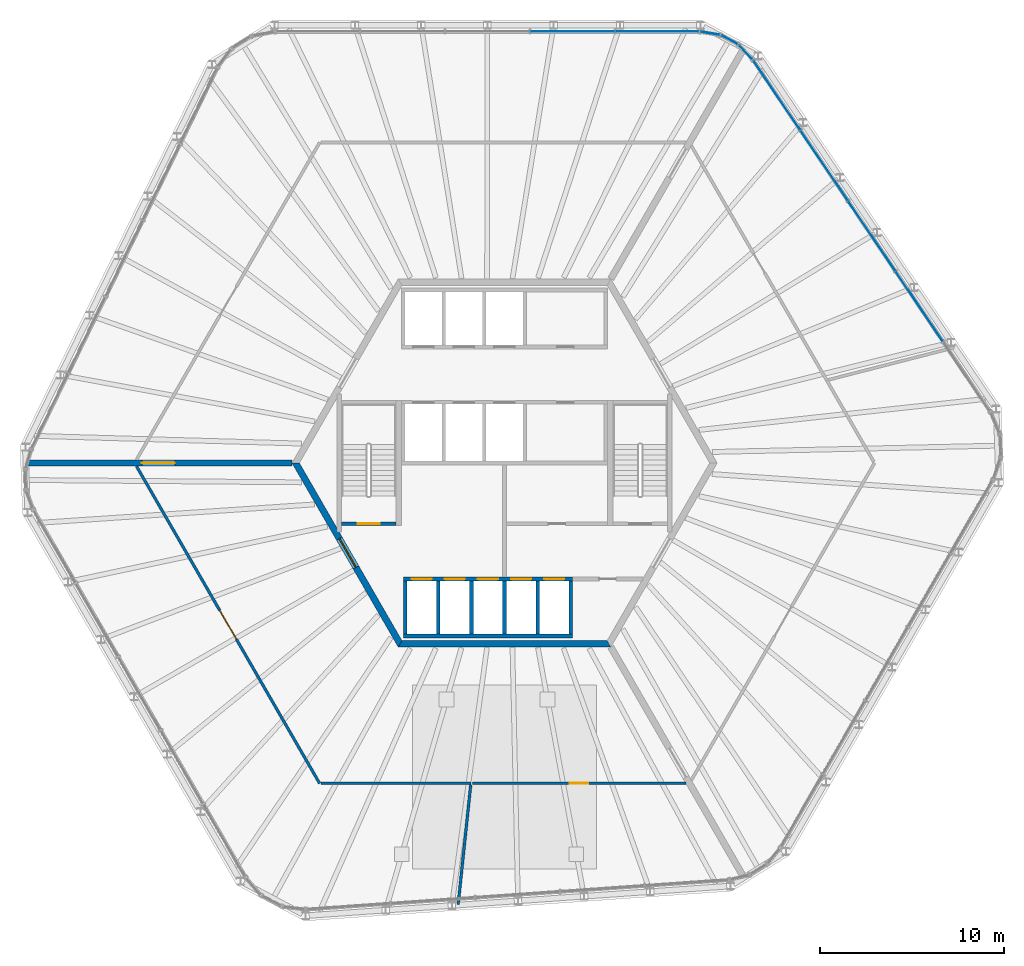
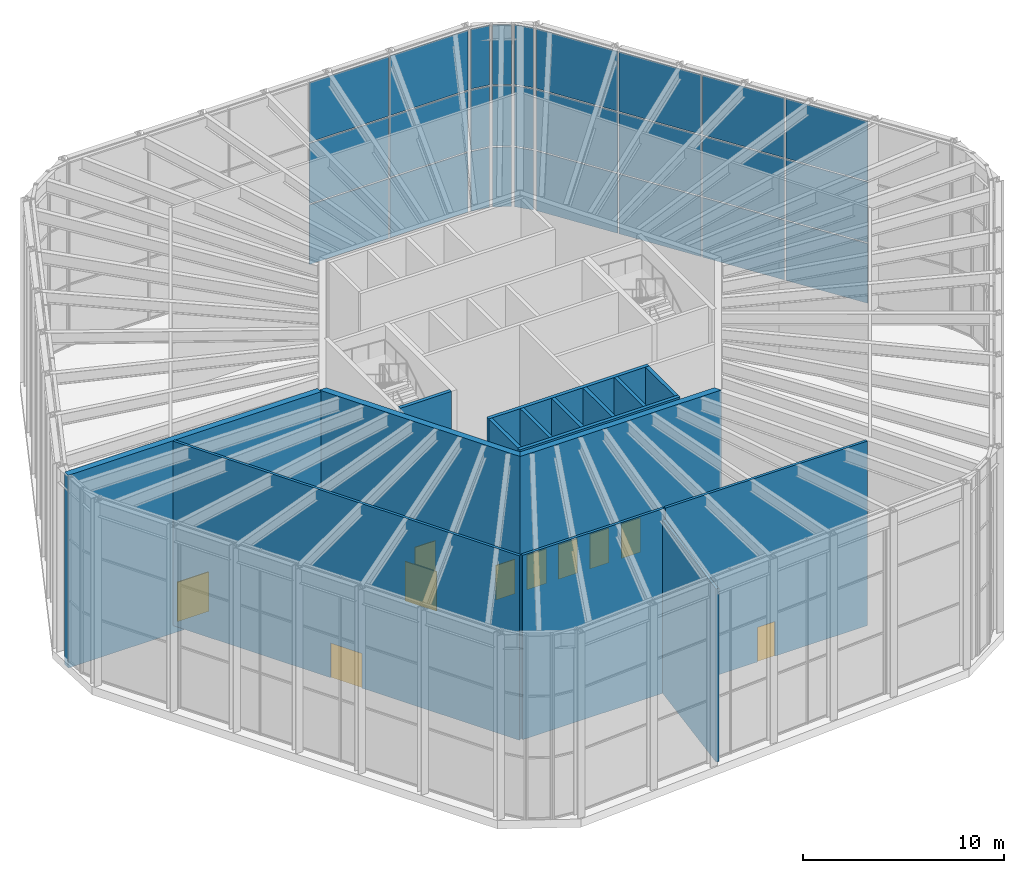
# One storey, part 13 of 17: 27 plates, 16 walls, 10 doors, 10 openings, 5 elements without a shape of their own.
"""IFC4 building model written with IfcOpenShell, lengths in metres."""

from ifc_helpers import new_model, si_unit, direction, frame, frame_2d, origin, origin_2d, place, context, subcontext, project, spatial, polyline, rectangle, outline, extrude, material, layer, layer_set, type_object, element, fill, aggregate, save


model = new_model("IFC4")

# Units and contexts
model_context = context("Model", 3, precision=1e-05, world=origin(), true_north=direction((0.0, 1.0)))
body_context = subcontext(model_context, "Body", "Model", "MODEL_VIEW")
ifc_project = project(units=[si_unit("LENGTHUNIT", "METRE"), si_unit("AREAUNIT", "SQUARE_METRE"), si_unit("VOLUMEUNIT", "CUBIC_METRE"), si_unit("PLANEANGLEUNIT", "RADIAN"), si_unit("MASSUNIT", "GRAM", prefix="KILO")], contexts=[model_context])

# Site, building, storey
site_placement = place(None, origin())
site = spatial("IfcSite", under=ifc_project, at=site_placement, CompositionType="ELEMENT")
building_placement = place(site_placement, origin())
building = spatial("IfcBuilding", under=site, at=building_placement, Name="Tarnside Tower", CompositionType="ELEMENT")
storey_placement = place(building_placement, frame((0.0, 0.0, 376.800048828125)))
storey = spatial("IfcBuildingStorey", under=building, at=storey_placement, Name="L91", CompositionType="ELEMENT", Elevation=376.800048828125)

# Curtain wall, plates
ifc_material_1 = material(Name="Damper hall glazing wall", Category="glass")
curtain_wall_type = type_object("IfcCurtainWallType", Name="Damper hall glazing wall", PredefinedType="NOTDEFINED", material=ifc_material_1)
curtain_wall_1_placement = place(storey_placement, origin())
curtain_wall_1 = element("IfcCurtainWall", 1, at=curtain_wall_1_placement, inside=storey, type_object=curtain_wall_type, Name="Damper hall glazing L91 00", PredefinedType="NOTDEFINED")
ifc_material_2 = material(Name="Low-iron safety glass", Category="glass")
ifc_layer_1 = layer(ifc_material_2, 0.0400390625)
ifc_layer_set_1 = layer_set([ifc_layer_1], Name="Damper hall glazing panel 40")
plate_type = type_object("IfcPlateType", Name="Damper hall glazing panel 40", PredefinedType="CURTAIN_PANEL", material=ifc_layer_set_1)
plate_1_placement = place(storey_placement, frame((3.6845703125, 23.429931640625, 0.080078125), z_axis=(0.0, 0.0, 1.0), x_axis=(1.0, 0.0, 0.0)))
plate_1 = element("IfcPlate", 2, at=plate_1_placement, type_object=plate_type, Name="CW5 panel 4.1", PredefinedType="CURTAIN_PANEL", context=body_context, shape_type="SweptSolid", body=[
    extrude(rectangle(XDim=4.5341796875, YDim=0.0400390625, at=origin_2d()), origin(), (0.0, 0.0, 1.0), 3.61328125),
])
plate_2_placement = place(storey_placement, frame((3.6845703125, 23.429931640625, 3.773193359375), z_axis=(0.0, 0.0, 1.0), x_axis=(1.0, 0.0, 0.0)))
plate_2 = element("IfcPlate", 3, at=plate_2_placement, type_object=plate_type, Name="CW5 panel 4.2", PredefinedType="CURTAIN_PANEL", context=body_context, shape_type="SweptSolid", body=[
    extrude(rectangle(XDim=4.5341796875, YDim=0.0400390625, at=origin_2d()), origin(), (0.0, 0.0, 1.0), 3.6533203125),
])
plate_3_placement = place(storey_placement, frame((3.6845703125, 23.429931640625, 7.506591796875), z_axis=(0.0, 0.0, 1.0), x_axis=(1.0, 0.0, 0.0)))
plate_3 = element("IfcPlate", 4, at=plate_3_placement, type_object=plate_type, Name="CW5 panel 4.3", PredefinedType="CURTAIN_PANEL", context=body_context, shape_type="SweptSolid", body=[
    extrude(rectangle(XDim=4.5341796875, YDim=0.0400390625, at=origin_2d()), origin(), (0.0, 0.0, 1.0), 3.61328125),
])
plate_4_placement = place(storey_placement, frame((8.27880859375, 23.429931640625, 0.080078125), z_axis=(0.0, 0.0, 1.0), x_axis=(1.0, 0.0, 0.0)))
plate_4 = element("IfcPlate", 5, at=plate_4_placement, type_object=plate_type, Name="CW5 panel 5.1", PredefinedType="CURTAIN_PANEL", context=body_context, shape_type="SweptSolid", body=[
    extrude(rectangle(XDim=4.494140625, YDim=0.0400390625, at=origin_2d()), origin(), (0.0, 0.0, 1.0), 3.61328125),
])
plate_5_placement = place(storey_placement, frame((8.27880859375, 23.429931640625, 3.773193359375), z_axis=(0.0, 0.0, 1.0), x_axis=(1.0, 0.0, 0.0)))
plate_5 = element("IfcPlate", 6, at=plate_5_placement, type_object=plate_type, Name="CW5 panel 5.2", PredefinedType="CURTAIN_PANEL", context=body_context, shape_type="SweptSolid", body=[
    extrude(rectangle(XDim=4.494140625, YDim=0.0400390625, at=origin_2d()), origin(), (0.0, 0.0, 1.0), 3.6533203125),
])
plate_6_placement = place(storey_placement, frame((8.27880859375, 23.429931640625, 7.506591796875), z_axis=(0.0, 0.0, 1.0), x_axis=(1.0, 0.0, 0.0)))
plate_6 = element("IfcPlate", 7, at=plate_6_placement, type_object=plate_type, Name="CW5 panel 5.3", PredefinedType="CURTAIN_PANEL", context=body_context, shape_type="SweptSolid", body=[
    extrude(rectangle(XDim=4.494140625, YDim=0.0400390625, at=origin_2d()), origin(), (0.0, 0.0, 1.0), 3.61328125),
])
aggregate(curtain_wall_1, [plate_1, plate_2, plate_3, plate_4, plate_5, plate_6])

curtain_wall_2_placement = place(storey_placement, origin())
curtain_wall_2 = element("IfcCurtainWall", 8, at=curtain_wall_2_placement, inside=storey, type_object=curtain_wall_type, Name="Damper hall glazing L91 01", PredefinedType="NOTDEFINED")
plate_7_placement = place(storey_placement, frame((11.168212890625, 23.337646484375, 0.080078125), z_axis=(0.0, 0.0, 1.0), x_axis=(0.986761532162, -0.162177922807, 0.0)))
plate_7 = element("IfcPlate", 9, at=plate_7_placement, type_object=plate_type, Name="CW5 panel 1.1", PredefinedType="CURTAIN_PANEL", context=body_context, shape_type="SweptSolid", body=[
    extrude(rectangle(XDim=0.9794921875, YDim=0.0400390625, at=origin_2d()), origin(), (0.0, 0.0, 1.0), 3.61328125),
])
plate_8_placement = place(storey_placement, frame((11.168212890625, 23.337646484375, 3.773193359375), z_axis=(0.0, 0.0, 1.0), x_axis=(0.986761532162, -0.162177922807, 0.0)))
plate_8 = element("IfcPlate", 10, at=plate_8_placement, type_object=plate_type, Name="CW5 panel 1.2", PredefinedType="CURTAIN_PANEL", context=body_context, shape_type="SweptSolid", body=[
    extrude(rectangle(XDim=0.9794921875, YDim=0.0400390625, at=origin_2d()), origin(), (0.0, 0.0, 1.0), 3.6533203125),
])
plate_9_placement = place(storey_placement, frame((11.168212890625, 23.337646484375, 7.506591796875), z_axis=(0.0, 0.0, 1.0), x_axis=(0.986761532162, -0.162177922807, 0.0)))
plate_9 = element("IfcPlate", 11, at=plate_9_placement, type_object=plate_type, Name="CW5 panel 1.3", PredefinedType="CURTAIN_PANEL", context=body_context, shape_type="SweptSolid", body=[
    extrude(rectangle(XDim=0.9794921875, YDim=0.0400390625, at=origin_2d()), origin(), (0.0, 0.0, 1.0), 3.61328125),
])
aggregate(curtain_wall_2, [plate_7, plate_8, plate_9])

curtain_wall_3_placement = place(storey_placement, origin())
curtain_wall_3 = element("IfcCurtainWall", 12, at=curtain_wall_3_placement, inside=storey, type_object=curtain_wall_type, Name="Damper hall glazing L91 02", PredefinedType="NOTDEFINED")
plate_10_placement = place(storey_placement, frame((12.220947265625, 22.984375, 0.080078125), z_axis=(0.0, 0.0, 1.0), x_axis=(0.882947592867, -0.46947156277, 0.0)))
plate_10 = element("IfcPlate", 13, at=plate_10_placement, type_object=plate_type, Name="CW5 panel 1.1", PredefinedType="CURTAIN_PANEL", context=body_context, shape_type="SweptSolid", body=[
    extrude(rectangle(XDim=0.950927734375, YDim=0.0400390625, at=origin_2d()), origin(), (0.0, 0.0, 1.0), 3.61328125),
])
plate_11_placement = place(storey_placement, frame((12.220947265625, 22.984375, 3.773193359375), z_axis=(0.0, 0.0, 1.0), x_axis=(0.882947592867, -0.46947156277, 0.0)))
plate_11 = element("IfcPlate", 14, at=plate_11_placement, type_object=plate_type, Name="CW5 panel 1.2", PredefinedType="CURTAIN_PANEL", context=body_context, shape_type="SweptSolid", body=[
    extrude(rectangle(XDim=0.950927734375, YDim=0.0400390625, at=origin_2d()), origin(), (0.0, 0.0, 1.0), 3.6533203125),
])
plate_12_placement = place(storey_placement, frame((12.220947265625, 22.984375, 7.506591796875), z_axis=(0.0, 0.0, 1.0), x_axis=(0.882947592867, -0.46947156277, 0.0)))
plate_12 = element("IfcPlate", 15, at=plate_12_placement, type_object=plate_type, Name="CW5 panel 1.3", PredefinedType="CURTAIN_PANEL", context=body_context, shape_type="SweptSolid", body=[
    extrude(rectangle(XDim=0.950927734375, YDim=0.0400390625, at=origin_2d()), origin(), (0.0, 0.0, 1.0), 3.61328125),
])
aggregate(curtain_wall_3, [plate_10, plate_11, plate_12])

curtain_wall_4_placement = place(storey_placement, origin())
curtain_wall_4 = element("IfcCurtainWall", 16, at=curtain_wall_4_placement, inside=storey, type_object=curtain_wall_type, Name="Damper hall glazing L91 03", PredefinedType="NOTDEFINED")
plate_13_placement = place(storey_placement, frame((13.1025390625, 22.30908203125, 0.080078125), z_axis=(0.0, 0.0, 1.0), x_axis=(0.686241637534, -0.727373641888, 0.0)))
plate_13 = element("IfcPlate", 17, at=plate_13_placement, type_object=plate_type, Name="CW5 panel 1.1", PredefinedType="CURTAIN_PANEL", context=body_context, shape_type="SweptSolid", body=[
    extrude(rectangle(XDim=0.9794921875, YDim=0.0400390625, at=origin_2d()), origin(), (0.0, 0.0, 1.0), 3.61328125),
])
plate_14_placement = place(storey_placement, frame((13.1025390625, 22.30908203125, 3.773193359375), z_axis=(0.0, 0.0, 1.0), x_axis=(0.686241637534, -0.727373641888, 0.0)))
plate_14 = element("IfcPlate", 18, at=plate_14_placement, type_object=plate_type, Name="CW5 panel 1.2", PredefinedType="CURTAIN_PANEL", context=body_context, shape_type="SweptSolid", body=[
    extrude(rectangle(XDim=0.9794921875, YDim=0.0400390625, at=origin_2d()), origin(), (0.0, 0.0, 1.0), 3.6533203125),
])
plate_15_placement = place(storey_placement, frame((13.1025390625, 22.30908203125, 7.506591796875), z_axis=(0.0, 0.0, 1.0), x_axis=(0.686241637534, -0.727373641888, 0.0)))
plate_15 = element("IfcPlate", 19, at=plate_15_placement, type_object=plate_type, Name="CW5 panel 1.3", PredefinedType="CURTAIN_PANEL", context=body_context, shape_type="SweptSolid", body=[
    extrude(rectangle(XDim=0.9794921875, YDim=0.0400390625, at=origin_2d()), origin(), (0.0, 0.0, 1.0), 3.61328125),
])
aggregate(curtain_wall_4, [plate_13, plate_14, plate_15])

curtain_wall_5_placement = place(storey_placement, origin())
curtain_wall_5 = element("IfcCurtainWall", 20, at=curtain_wall_5_placement, inside=storey, type_object=curtain_wall_type, Name="Damper hall glazing L91 04", PredefinedType="NOTDEFINED")
plate_16_placement = place(storey_placement, frame((14.794921875, 19.96533203125, 0.080078125), z_axis=(0.0, 0.0, 1.0), x_axis=(0.559192903485, -0.829037572545, 0.0)))
plate_16 = element("IfcPlate", 21, at=plate_16_placement, type_object=plate_type, Name="CW5 panel 1.1", PredefinedType="CURTAIN_PANEL", context=body_context, shape_type="SweptSolid", body=[
    extrude(rectangle(XDim=4.494140625, YDim=0.0400390625, at=origin_2d()), origin(), (0.0, 0.0, 1.0), 3.61328125),
])
plate_17_placement = place(storey_placement, frame((14.794921875, 19.96533203125, 3.773193359375), z_axis=(0.0, 0.0, 1.0), x_axis=(0.559192903485, -0.829037572545, 0.0)))
plate_17 = element("IfcPlate", 22, at=plate_17_placement, type_object=plate_type, Name="CW5 panel 1.2", PredefinedType="CURTAIN_PANEL", context=body_context, shape_type="SweptSolid", body=[
    extrude(rectangle(XDim=4.494140625, YDim=0.0400390625, at=origin_2d()), origin(), (0.0, 0.0, 1.0), 3.6533203125),
])
plate_18_placement = place(storey_placement, frame((14.794921875, 19.96533203125, 7.506591796875), z_axis=(0.0, 0.0, 1.0), x_axis=(0.559192903485, -0.829037572545, 0.0)))
plate_18 = element("IfcPlate", 23, at=plate_18_placement, type_object=plate_type, Name="CW5 panel 1.3", PredefinedType="CURTAIN_PANEL", context=body_context, shape_type="SweptSolid", body=[
    extrude(rectangle(XDim=4.494140625, YDim=0.0400390625, at=origin_2d()), origin(), (0.0, 0.0, 1.0), 3.61328125),
])
plate_19_placement = place(storey_placement, frame((17.364013671875, 16.156494140625, 0.080078125), z_axis=(0.0, 0.0, 1.0), x_axis=(0.559192903485, -0.829037572545, 0.0)))
plate_19 = element("IfcPlate", 24, at=plate_19_placement, type_object=plate_type, Name="CW5 panel 2.1", PredefinedType="CURTAIN_PANEL", context=body_context, shape_type="SweptSolid", body=[
    extrude(rectangle(XDim=4.5341796875, YDim=0.0400390625, at=origin_2d()), origin(), (0.0, 0.0, 1.0), 3.61328125),
])
plate_20_placement = place(storey_placement, frame((17.364013671875, 16.156494140625, 3.773193359375), z_axis=(0.0, 0.0, 1.0), x_axis=(0.559192903485, -0.829037572545, 0.0)))
plate_20 = element("IfcPlate", 25, at=plate_20_placement, type_object=plate_type, Name="CW5 panel 2.2", PredefinedType="CURTAIN_PANEL", context=body_context, shape_type="SweptSolid", body=[
    extrude(rectangle(XDim=4.5341796875, YDim=0.0400390625, at=origin_2d()), origin(), (0.0, 0.0, 1.0), 3.6533203125),
])
plate_21_placement = place(storey_placement, frame((17.364013671875, 16.156494140625, 7.506591796875), z_axis=(0.0, 0.0, 1.0), x_axis=(0.559192903485, -0.829037572545, 0.0)))
plate_21 = element("IfcPlate", 26, at=plate_21_placement, type_object=plate_type, Name="CW5 panel 2.3", PredefinedType="CURTAIN_PANEL", context=body_context, shape_type="SweptSolid", body=[
    extrude(rectangle(XDim=4.5341796875, YDim=0.0400390625, at=origin_2d()), origin(), (0.0, 0.0, 1.0), 3.61328125),
])
plate_22_placement = place(storey_placement, frame((19.944091796875, 12.331298828125, 0.080078125), z_axis=(0.0, 0.0, 1.0), x_axis=(0.559192903485, -0.829037572545, 0.0)))
plate_22 = element("IfcPlate", 27, at=plate_22_placement, type_object=plate_type, Name="CW5 panel 3.1", PredefinedType="CURTAIN_PANEL", context=body_context, shape_type="SweptSolid", body=[
    extrude(rectangle(XDim=4.5341796875, YDim=0.0400390625, at=origin_2d()), origin(), (0.0, 0.0, 1.0), 3.61328125),
])
plate_23_placement = place(storey_placement, frame((19.944091796875, 12.331298828125, 3.773193359375), z_axis=(0.0, 0.0, 1.0), x_axis=(0.559192903485, -0.829037572545, 0.0)))
plate_23 = element("IfcPlate", 28, at=plate_23_placement, type_object=plate_type, Name="CW5 panel 3.2", PredefinedType="CURTAIN_PANEL", context=body_context, shape_type="SweptSolid", body=[
    extrude(rectangle(XDim=4.5341796875, YDim=0.0400390625, at=origin_2d()), origin(), (0.0, 0.0, 1.0), 3.6533203125),
])
plate_24_placement = place(storey_placement, frame((19.944091796875, 12.331298828125, 7.506591796875), z_axis=(0.0, 0.0, 1.0), x_axis=(0.559192903485, -0.829037572545, 0.0)))
plate_24 = element("IfcPlate", 29, at=plate_24_placement, type_object=plate_type, Name="CW5 panel 3.3", PredefinedType="CURTAIN_PANEL", context=body_context, shape_type="SweptSolid", body=[
    extrude(rectangle(XDim=4.5341796875, YDim=0.0400390625, at=origin_2d()), origin(), (0.0, 0.0, 1.0), 3.61328125),
])
plate_25_placement = place(storey_placement, frame((22.5244140625, 8.505859375, 0.080078125), z_axis=(0.0, 0.0, 1.0), x_axis=(0.559192903485, -0.829037572545, 0.0)))
plate_25 = element("IfcPlate", 30, at=plate_25_placement, type_object=plate_type, Name="CW5 panel 4.1", PredefinedType="CURTAIN_PANEL", context=body_context, shape_type="SweptSolid", body=[
    extrude(rectangle(XDim=4.5341796875, YDim=0.0400390625, at=origin_2d()), origin(), (0.0, 0.0, 1.0), 3.61328125),
])
plate_26_placement = place(storey_placement, frame((22.5244140625, 8.505859375, 3.773193359375), z_axis=(0.0, 0.0, 1.0), x_axis=(0.559192903485, -0.829037572545, 0.0)))
plate_26 = element("IfcPlate", 31, at=plate_26_placement, type_object=plate_type, Name="CW5 panel 4.2", PredefinedType="CURTAIN_PANEL", context=body_context, shape_type="SweptSolid", body=[
    extrude(rectangle(XDim=4.5341796875, YDim=0.0400390625, at=origin_2d()), origin(), (0.0, 0.0, 1.0), 3.6533203125),
])
plate_27_placement = place(storey_placement, frame((22.5244140625, 8.505859375, 7.506591796875), z_axis=(0.0, 0.0, 1.0), x_axis=(0.559192903485, -0.829037572545, 0.0)))
plate_27 = element("IfcPlate", 32, at=plate_27_placement, type_object=plate_type, Name="CW5 panel 4.3", PredefinedType="CURTAIN_PANEL", context=body_context, shape_type="SweptSolid", body=[
    extrude(rectangle(XDim=4.5341796875, YDim=0.0400390625, at=origin_2d()), origin(), (0.0, 0.0, 1.0), 3.61328125),
])
aggregate(curtain_wall_5, [plate_16, plate_17, plate_18, plate_19, plate_20, plate_21, plate_22, plate_23, plate_24, plate_25, plate_26, plate_27])

# Wall, opening, door
ifc_material_3 = material(Name="Concrete C50/60", Category="concrete")
ifc_layer_2 = layer(ifc_material_3, 0.35009765625)
ifc_layer_set_2 = layer_set([ifc_layer_2], Name="Core wall Z4 350 C50/60")
wall_type_1 = type_object("IfcWallType", Name="Core wall Z4 350 C50/60", PredefinedType="SHEAR", material=ifc_layer_set_2)
wall_1_placement = place(storey_placement, frame((-11.344970703125, 0.0, -0.5), z_axis=(0.0, 0.0, 1.0), x_axis=(0.499995046907, -0.866028263435, 0.0)))
wall_1 = element("IfcWall", 33, at=wall_1_placement, inside=storey, type_object=wall_type_1, Name="L91 core wall face 3", PredefinedType="SHEAR", context=body_context, shape_type="SweptSolid", body=[
    extrude(outline(polyline([(-0.10107421875, -0.175048828125), (11.44580078125, -0.175048828125), (11.24365234375, 0.175048828125), (0.10107421875, 0.175048828125), (-0.10107421875, -0.175048828125)])), origin(), (0.0, 0.0, 1.0), 11.699951171875),
])
opening_1_placement = place(wall_1_placement, frame((4.74365234375, 0.0, 0.5)))
opening_1 = element("IfcOpeningElement", 34, at=opening_1_placement, cuts=wall_1, Name="Opening CD-FFL", PredefinedType="OPENING", context=body_context, shape_type="SweptSolid", body=[
    extrude(rectangle(XDim=1.800048828125, YDim=2.39990234375, at=frame_2d((0.89990234375, 1.199951171875))), frame((0.0, 0.18505859375, 0.0), z_axis=(0.0, -1.0, 0.0), x_axis=(1.0, 0.0, 0.0)), (0.0, 0.0, 1.0), 0.3701171875),
])
ifc_material_4 = material(Name="Steel fire door", Category="steel")
door_type_1 = type_object("IfcDoorType", Name="Firefighting lobby double door FD60S 1800x2400", OperationType="NOTDEFINED", PredefinedType="DOOR", material=ifc_material_4)
door_1_placement = place(opening_1_placement, origin())
door_1 = element("IfcDoor", 35, at=door_1_placement, inside=storey, type_object=door_type_1, Name="L91 core door P3", OperationType="DOUBLE_DOOR_SINGLE_SWING", OverallHeight=2.39990234375, OverallWidth=1.800048828125, PredefinedType="DOOR", context=body_context, shape_type="SweptSolid", body=[
    extrude(rectangle(XDim=1.800048828125, YDim=2.39990234375, at=frame_2d((0.89990234375, 1.199951171875))), frame((0.0, 0.02490234375, 0.0), z_axis=(0.0, -1.0, 0.0), x_axis=(1.0, 0.0, 0.0)), (0.0, 0.0, 1.0), 0.050048828125),
])
fill(opening_1, door_1)

# Wall
wall_2_placement = place(storey_placement, frame((-5.672607421875, -9.824951171875, -0.5), z_axis=(0.0, 0.0, 1.0), x_axis=(1.0, 0.0, 0.0)))
element("IfcWall", 36, at=wall_2_placement, inside=storey, type_object=wall_type_1, Name="L91 core wall face 4", PredefinedType="SHEAR", context=body_context, shape_type="SweptSolid", body=[
    extrude(outline(polyline([(-0.10107421875, -0.175048828125), (11.4462890625, -0.175048828125), (11.244140625, 0.175048828125), (0.10107421875, 0.175048828125), (-0.10107421875, -0.175048828125)])), origin(), (0.0, 0.0, 1.0), 11.699951171875),
])

# Wall, opening, door
wall_3_placement = place(storey_placement, frame((-11.547119140625, 0.0, -0.5), z_axis=(0.0, 0.0, 1.0), x_axis=(-1.0, 0.0, 0.0)))
wall_3 = element("IfcWall", 37, at=wall_3_placement, inside=storey, type_object=wall_type_1, Name="L91 spine wall 2", PredefinedType="SHEAR", context=body_context, shape_type="SweptSolid", body=[
    extrude(rectangle(XDim=14.510498046875, YDim=0.35009765625, at=frame_2d((7.25537109375, 0.0))), origin(), (0.0, 0.0, 1.0), 11.699951171875),
])
opening_2_placement = place(wall_3_placement, frame((6.355224609375, 0.0, 0.5)))
opening_2 = element("IfcOpeningElement", 38, at=opening_2_placement, cuts=wall_3, Name="Opening CD-SPN", PredefinedType="OPENING", context=body_context, shape_type="SweptSolid", body=[
    extrude(rectangle(XDim=1.800048828125, YDim=2.39990234375, at=frame_2d((0.89990234375, 1.199951171875))), frame((0.0, 0.18505859375, 0.0), z_axis=(0.0, -1.0, 0.0), x_axis=(1.0, 0.0, 0.0)), (0.0, 0.0, 1.0), 0.3701171875),
])
door_type_2 = type_object("IfcDoorType", Name="Spine passage double door FD60 1800x2400", OperationType="NOTDEFINED", PredefinedType="DOOR", material=ifc_material_4)
door_2_placement = place(opening_2_placement, origin())
door_2 = element("IfcDoor", 39, at=door_2_placement, inside=storey, type_object=door_type_2, Name="L91 spine passage door 2", OperationType="DOUBLE_DOOR_SINGLE_SWING", OverallHeight=2.39990234375, OverallWidth=1.800048828125, PredefinedType="DOOR", context=body_context, shape_type="SweptSolid", body=[
    extrude(rectangle(XDim=1.800048828125, YDim=2.39990234375, at=frame_2d((0.89990234375, 1.199951171875))), frame((0.0, 0.02490234375, 0.0), z_axis=(0.0, -1.0, 0.0), x_axis=(1.0, 0.0, 0.0)), (0.0, 0.0, 1.0), 0.050048828125),
])
fill(opening_2, door_2)

# Wall, openings, doors
ifc_material_5 = material(Name="Concrete C40/50", Category="concrete")
ifc_layer_3 = layer(ifc_material_5, 0.199951171875)
ifc_layer_set_3 = layer_set([ifc_layer_3], Name="Lift shaft wall 200 C40/50")
wall_type_2 = type_object("IfcWallType", Name="Lift shaft wall 200 C40/50", PredefinedType="SHEAR", material=ifc_layer_set_3)
wall_4_placement = place(storey_placement, frame((-5.5, -6.300048828125, -0.25), z_axis=(0.0, 0.0, 1.0), x_axis=(1.0, 0.0, 0.0)))
wall_4 = element("IfcWall", 40, at=wall_4_placement, inside=storey, type_object=wall_type_2, Name="L91 lift shaft front wall R4", PredefinedType="SHEAR", context=body_context, shape_type="SweptSolid", body=[
    extrude(rectangle(XDim=9.199951171875, YDim=0.199951171875, at=frame_2d((4.60009765625, 0.0))), origin(), (0.0, 0.0, 1.0), 11.449951171875),
])
opening_3_placement = place(wall_4_placement, frame((0.449951171875, 0.0, 0.25)))
opening_3 = element("IfcOpeningElement", 41, at=opening_3_placement, cuts=wall_4, Name="Opening LDF", PredefinedType="OPENING", context=body_context, shape_type="SweptSolid", body=[
    extrude(rectangle(XDim=1.10009765625, YDim=2.10009765625, at=frame_2d((0.550048828125, 1.050048828125))), frame((0.0, 0.10986328125, 0.0), z_axis=(0.0, -1.0, 0.0), x_axis=(1.0, 0.0, 0.0)), (0.0, 0.0, 1.0), 0.219970703125),
])
opening_4_placement = place(wall_4_placement, frame((2.25, 0.0, 0.25)))
opening_4 = element("IfcOpeningElement", 42, at=opening_4_placement, cuts=wall_4, Name="Opening LDF", PredefinedType="OPENING", context=body_context, shape_type="SweptSolid", body=[
    extrude(rectangle(XDim=1.10009765625, YDim=2.10009765625, at=frame_2d((0.550048828125, 1.050048828125))), frame((0.0, 0.10986328125, 0.0), z_axis=(0.0, -1.0, 0.0), x_axis=(1.0, 0.0, 0.0)), (0.0, 0.0, 1.0), 0.219970703125),
])
opening_5_placement = place(wall_4_placement, frame((4.050048828125, 0.0, 0.25)))
opening_5 = element("IfcOpeningElement", 43, at=opening_5_placement, cuts=wall_4, Name="Opening LDF", PredefinedType="OPENING", context=body_context, shape_type="SweptSolid", body=[
    extrude(rectangle(XDim=1.10009765625, YDim=2.10009765625, at=frame_2d((0.550048828125, 1.050048828125))), frame((0.0, 0.10986328125, 0.0), z_axis=(0.0, -1.0, 0.0), x_axis=(1.0, 0.0, 0.0)), (0.0, 0.0, 1.0), 0.219970703125),
])
opening_6_placement = place(wall_4_placement, frame((5.85009765625, 0.0, 0.25)))
opening_6 = element("IfcOpeningElement", 44, at=opening_6_placement, cuts=wall_4, Name="Opening LDF", PredefinedType="OPENING", context=body_context, shape_type="SweptSolid", body=[
    extrude(rectangle(XDim=1.10009765625, YDim=2.10009765625, at=frame_2d((0.550048828125, 1.050048828125))), frame((0.0, 0.10986328125, 0.0), z_axis=(0.0, -1.0, 0.0), x_axis=(1.0, 0.0, 0.0)), (0.0, 0.0, 1.0), 0.219970703125),
])
opening_7_placement = place(wall_4_placement, frame((7.64990234375, 0.0, 0.25)))
opening_7 = element("IfcOpeningElement", 45, at=opening_7_placement, cuts=wall_4, Name="Opening LDF", PredefinedType="OPENING", context=body_context, shape_type="SweptSolid", body=[
    extrude(rectangle(XDim=1.10009765625, YDim=2.10009765625, at=frame_2d((0.550048828125, 1.050048828125))), frame((0.0, 0.10986328125, 0.0), z_axis=(0.0, -1.0, 0.0), x_axis=(1.0, 0.0, 0.0)), (0.0, 0.0, 1.0), 0.219970703125),
])
ifc_material_6 = material(Name="Stainless steel", Category="steel")
door_type_3 = type_object("IfcDoorType", Name="Lift landing door 1100x2100 EI 120", OperationType="NOTDEFINED", PredefinedType="DOOR", material=ifc_material_6)
door_3_placement = place(opening_3_placement, origin())
door_3 = element("IfcDoor", 46, at=door_3_placement, inside=storey, type_object=door_type_3, Name="Firefighting lift 1 landing door L91", OperationType="SLIDING_TO_LEFT", OverallHeight=2.10009765625, OverallWidth=1.10009765625, PredefinedType="DOOR", context=body_context, shape_type="SweptSolid", body=[
    extrude(rectangle(XDim=1.10009765625, YDim=2.10009765625, at=frame_2d((0.550048828125, 1.050048828125))), frame((0.0, 0.02490234375, 0.0), z_axis=(0.0, -1.0, 0.0), x_axis=(1.0, 0.0, 0.0)), (0.0, 0.0, 1.0), 0.050048828125),
])
fill(opening_3, door_3)
door_4_placement = place(opening_4_placement, origin())
door_4 = element("IfcDoor", 47, at=door_4_placement, inside=storey, type_object=door_type_3, Name="Firefighting lift 2 landing door L91", OperationType="SLIDING_TO_LEFT", OverallHeight=2.10009765625, OverallWidth=1.10009765625, PredefinedType="DOOR", context=body_context, shape_type="SweptSolid", body=[
    extrude(rectangle(XDim=1.10009765625, YDim=2.10009765625, at=frame_2d((0.550048828125, 1.050048828125))), frame((0.0, 0.02490234375, 0.0), z_axis=(0.0, -1.0, 0.0), x_axis=(1.0, 0.0, 0.0)), (0.0, 0.0, 1.0), 0.050048828125),
])
fill(opening_4, door_4)
door_5_placement = place(opening_5_placement, origin())
door_5 = element("IfcDoor", 48, at=door_5_placement, inside=storey, type_object=door_type_3, Name="Firefighting lift 3 landing door L91", OperationType="SLIDING_TO_LEFT", OverallHeight=2.10009765625, OverallWidth=1.10009765625, PredefinedType="DOOR", context=body_context, shape_type="SweptSolid", body=[
    extrude(rectangle(XDim=1.10009765625, YDim=2.10009765625, at=frame_2d((0.550048828125, 1.050048828125))), frame((0.0, 0.02490234375, 0.0), z_axis=(0.0, -1.0, 0.0), x_axis=(1.0, 0.0, 0.0)), (0.0, 0.0, 1.0), 0.050048828125),
])
fill(opening_5, door_5)
door_6_placement = place(opening_6_placement, origin())
door_6 = element("IfcDoor", 49, at=door_6_placement, inside=storey, type_object=door_type_3, Name="Firefighting lift 4 landing door L91", OperationType="SLIDING_TO_LEFT", OverallHeight=2.10009765625, OverallWidth=1.10009765625, PredefinedType="DOOR", context=body_context, shape_type="SweptSolid", body=[
    extrude(rectangle(XDim=1.10009765625, YDim=2.10009765625, at=frame_2d((0.550048828125, 1.050048828125))), frame((0.0, 0.02490234375, 0.0), z_axis=(0.0, -1.0, 0.0), x_axis=(1.0, 0.0, 0.0)), (0.0, 0.0, 1.0), 0.050048828125),
])
fill(opening_6, door_6)
door_7_placement = place(opening_7_placement, origin())
door_7 = element("IfcDoor", 50, at=door_7_placement, inside=storey, type_object=door_type_3, Name="Firefighting lift 5 landing door L91", OperationType="SLIDING_TO_LEFT", OverallHeight=2.10009765625, OverallWidth=1.10009765625, PredefinedType="DOOR", context=body_context, shape_type="SweptSolid", body=[
    extrude(rectangle(XDim=1.10009765625, YDim=2.10009765625, at=frame_2d((0.550048828125, 1.050048828125))), frame((0.0, 0.02490234375, 0.0), z_axis=(0.0, -1.0, 0.0), x_axis=(1.0, 0.0, 0.0)), (0.0, 0.0, 1.0), 0.050048828125),
])
fill(opening_7, door_7)

# Walls
wall_5_placement = place(storey_placement, frame((-5.5, -9.39990234375, -0.25), z_axis=(0.0, 0.0, 1.0), x_axis=(1.0, 0.0, 0.0)))
element("IfcWall", 51, at=wall_5_placement, inside=storey, type_object=wall_type_2, Name="L91 lift shaft back wall R4", PredefinedType="SHEAR", context=body_context, shape_type="SweptSolid", body=[
    extrude(rectangle(XDim=9.199951171875, YDim=0.199951171875, at=frame_2d((4.60009765625, 0.0))), origin(), (0.0, 0.0, 1.0), 11.449951171875),
])
for number, where, z_axis, x_axis, name in (
    (52, (-5.39990234375, -9.300048828125, -0.25), (0.0, 0.0, 1.0), (0.0, 1.0, 0.0), "L91 lift shaft partition R41"),
    (53, (-3.60009765625, -9.300048828125, -0.25), (0.0, 0.0, 1.0), (0.0, 1.0, 0.0), "L91 lift shaft partition R42"),
    (54, (-1.800048828125, -9.300048828125, -0.25), (0.0, 0.0, 1.0), (0.0, 1.0, 0.0), "L91 lift shaft partition R43"),
    (55, (0.0, -9.300048828125, -0.25), (0.0, 0.0, 1.0), (0.0, 1.0, 0.0), "L91 lift shaft partition R44"),
    (56, (1.800048828125, -9.300048828125, -0.25), (0.0, 0.0, 1.0), (0.0, 1.0, 0.0), "L91 lift shaft partition R45"),
    (57, (3.60009765625, -9.300048828125, -0.25), (0.0, 0.0, 1.0), (0.0, 1.0, 0.0), "L91 lift shaft partition R46"),
):
    element("IfcWall", number, at=place(storey_placement, frame(where, z_axis=z_axis, x_axis=x_axis)), inside=storey, type_object=wall_type_2, Name=name, PredefinedType="SHEAR", context=body_context, shape_type="SweptSolid", body=[
        extrude(rectangle(XDim=2.900146484375, YDim=0.199951171875, at=frame_2d((1.4501953125, 0.0))), origin(), (0.0, 0.0, 1.0), 11.449951171875),
    ])

# Wall, opening, door
wall_6_placement = place(storey_placement, frame((-8.85009765625, -3.300048828125, -0.25), z_axis=(0.0, 0.0, 1.0), x_axis=(1.0, 0.0, 0.0)))
wall_6 = element("IfcWall", 58, at=wall_6_placement, inside=storey, type_object=wall_type_2, Name="L91 stair 2 enclosure cap wall s", PredefinedType="SHEAR", context=body_context, shape_type="SweptSolid", body=[
    extrude(rectangle(XDim=2.9501953125, YDim=0.199951171875, at=frame_2d((1.47509765625, 0.0))), origin(), (0.0, 0.0, 1.0), 11.449951171875),
])
opening_8_placement = place(wall_6_placement, frame((0.875, 0.0, 0.25)))
opening_8 = element("IfcOpeningElement", 59, at=opening_8_placement, cuts=wall_6, Name="Opening CD-STR", PredefinedType="OPENING", context=body_context, shape_type="SweptSolid", body=[
    extrude(rectangle(XDim=1.199951171875, YDim=2.39990234375, at=frame_2d((0.60009765625, 1.199951171875))), frame((0.0, 0.10986328125, 0.0), z_axis=(0.0, -1.0, 0.0), x_axis=(1.0, 0.0, 0.0)), (0.0, 0.0, 1.0), 0.219970703125),
])
door_type_4 = type_object("IfcDoorType", Name="Stair door FD60S 1200x2400", OperationType="NOTDEFINED", PredefinedType="DOOR", material=ifc_material_4)
door_8_placement = place(opening_8_placement, origin())
door_8 = element("IfcDoor", 60, at=door_8_placement, inside=storey, type_object=door_type_4, Name="L91 stair 2 door", OperationType="SINGLE_SWING_LEFT", OverallHeight=2.39990234375, OverallWidth=1.199951171875, PredefinedType="DOOR", context=body_context, shape_type="SweptSolid", body=[
    extrude(rectangle(XDim=1.199951171875, YDim=2.39990234375, at=frame_2d((0.60009765625, 1.199951171875))), frame((0.0, 0.02490234375, 0.0), z_axis=(0.0, -1.0, 0.0), x_axis=(1.0, 0.0, 0.0)), (0.0, 0.0, 1.0), 0.050048828125),
])
fill(opening_8, door_8)

ifc_material_7 = material(Name="Gypsum board")
ifc_layer_4 = layer(ifc_material_7, 0.14990234375)
ifc_layer_set_4 = layer_set([ifc_layer_4], Name="Partition 150 gypsum board on metal stud")
wall_type_3 = type_object("IfcWallType", Name="Partition 150 gypsum board on metal stud", PredefinedType="PARTITIONING", material=ifc_layer_set_4)
wall_7_placement = place(storey_placement, frame((-10.0458984375, -17.39990234375, 0.0), z_axis=(0.0, 0.0, 1.0), x_axis=(-0.500011106667, 0.866018991252, 0.0)))
wall_7 = element("IfcWall", 61, at=wall_7_placement, inside=storey, type_object=wall_type_3, Name="Partition 000", PredefinedType="PARTITIONING", context=body_context, shape_type="SweptSolid", body=[
    extrude(rectangle(XDim=19.8896484375, YDim=0.14990234375, at=frame_2d((9.94482421875, 0.0))), origin(), (0.0, 0.0, 1.0), 11.199951171875),
])
opening_9_placement = place(wall_7_placement, frame((9.044921875, 0.0, 0.0)))
opening_9 = element("IfcOpeningElement", 62, at=opening_9_placement, cuts=wall_7, Name="Opening D1800F30", PredefinedType="OPENING", context=body_context, shape_type="SweptSolid", body=[
    extrude(rectangle(XDim=1.800048828125, YDim=2.10009765625, at=frame_2d((0.89990234375, 1.050048828125))), frame((0.0, 0.0849609375, 0.0), z_axis=(0.0, -1.0, 0.0), x_axis=(1.0, 0.0, 0.0)), (0.0, 0.0, 1.0), 0.169921875),
])
ifc_material_8 = material(Name="Timber door leaf", Category="wood")
door_type_5 = type_object("IfcDoorType", Name="Door pair 1800 x 2100 FD30S fire door", OperationType="NOTDEFINED", PredefinedType="DOOR", material=ifc_material_8)
door_9_placement = place(opening_9_placement, origin())
door_9 = element("IfcDoor", 63, at=door_9_placement, inside=storey, type_object=door_type_5, Name="Door L91-01", OperationType="DOUBLE_DOOR_SINGLE_SWING", OverallHeight=2.10009765625, OverallWidth=1.800048828125, PredefinedType="DOOR", context=body_context, shape_type="SweptSolid", body=[
    extrude(rectangle(XDim=1.800048828125, YDim=2.10009765625, at=frame_2d((0.89990234375, 1.050048828125))), frame((0.0, 0.02490234375, 0.0), z_axis=(0.0, -1.0, 0.0), x_axis=(1.0, 0.0, 0.0)), (0.0, 0.0, 1.0), 0.050048828125),
])
fill(opening_9, door_9)

# Walls
wall_8_placement = place(storey_placement, frame((-9.95947265625, -17.39990234375, 0.0), z_axis=(0.0, 0.0, 1.0), x_axis=(1.0, 0.0, 0.0)))
element("IfcWall", 64, at=wall_8_placement, inside=storey, type_object=wall_type_3, Name="Partition 001", PredefinedType="PARTITIONING", context=body_context, shape_type="SweptSolid", body=[
    extrude(rectangle(XDim=8.13037109375, YDim=0.14990234375, at=frame_2d((4.065185546875, 0.0))), origin(), (0.0, 0.0, 1.0), 11.199951171875),
])
wall_9_placement = place(storey_placement, frame((-2.52099609375, -23.98095703125, 0.0), z_axis=(0.0, 0.0, 1.0), x_axis=(0.10457210654, 0.994517307307, 0.0)))
element("IfcWall", 65, at=wall_9_placement, inside=storey, type_object=wall_type_3, Name="Partition 003", PredefinedType="PARTITIONING", context=body_context, shape_type="SweptSolid", body=[
    extrude(rectangle(XDim=6.541748046875, YDim=0.14990234375, at=frame_2d((3.27099609375, 0.0))), origin(), (0.0, 0.0, 1.0), 10.52197265625),
])

# Wall, opening, door
wall_10_placement = place(storey_placement, frame((9.843994140625, -17.39990234375, 0.0), z_axis=(0.0, 0.0, 1.0), x_axis=(-1.0, 0.0, 0.0)))
wall_10 = element("IfcWall", 66, at=wall_10_placement, inside=storey, type_object=wall_type_3, Name="Partition 004", PredefinedType="PARTITIONING", context=body_context, shape_type="SweptSolid", body=[
    extrude(rectangle(XDim=11.59765625, YDim=0.14990234375, at=frame_2d((5.798828125, 0.0))), origin(), (0.0, 0.0, 1.0), 11.199951171875),
])
opening_10_placement = place(wall_10_placement, frame((5.298828125, 0.0, 0.0)))
opening_10 = element("IfcOpeningElement", 67, at=opening_10_placement, cuts=wall_10, Name="Opening D1000F30", PredefinedType="OPENING", context=body_context, shape_type="SweptSolid", body=[
    extrude(rectangle(XDim=1.0, YDim=2.10009765625, at=frame_2d((0.5, 1.050048828125))), frame((0.0, 0.0849609375, 0.0), z_axis=(0.0, -1.0, 0.0), x_axis=(1.0, 0.0, 0.0)), (0.0, 0.0, 1.0), 0.169921875),
])
door_type_6 = type_object("IfcDoorType", Name="Door 1000 x 2100 single leaf FD30S fire door", OperationType="NOTDEFINED", PredefinedType="DOOR", material=ifc_material_8)
door_10_placement = place(opening_10_placement, origin())
door_10 = element("IfcDoor", 68, at=door_10_placement, inside=storey, type_object=door_type_6, Name="Door L91-03", OperationType="SINGLE_SWING_RIGHT", OverallHeight=2.10009765625, OverallWidth=1.0, PredefinedType="DOOR", context=body_context, shape_type="SweptSolid", body=[
    extrude(rectangle(XDim=1.0, YDim=2.10009765625, at=frame_2d((0.5, 1.050048828125))), frame((0.0, 0.02490234375, 0.0), z_axis=(0.0, -1.0, 0.0), x_axis=(1.0, 0.0, 0.0)), (0.0, 0.0, 1.0), 0.050048828125),
])
fill(opening_10, door_10)

save(model, "model.ifc")
